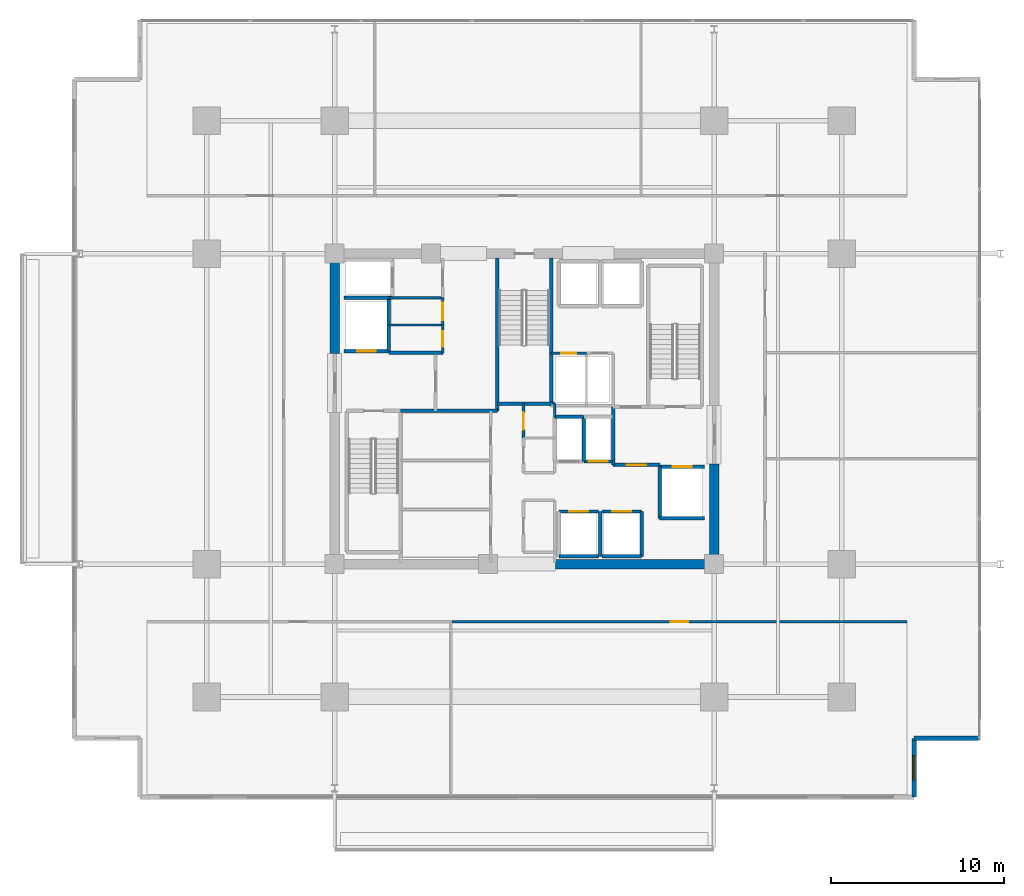
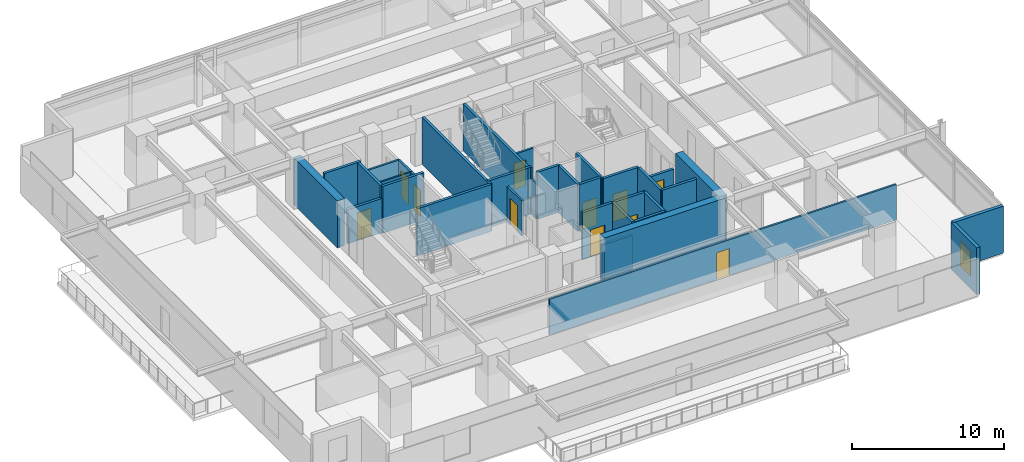
# One storey, part 15 of 23: 35 walls, 11 doors, 1 window, 12 openings.
"""IFC4 building model written with IfcOpenShell, lengths in metres."""

from ifc_helpers import new_model, si_unit, direction, frame, frame_2d, origin, place, context, subcontext, project, spatial, rectangle, extrude, material, layer, layer_set, type_object, element, fill, save


model = new_model("IFC4")

# Units and contexts
model_context = context("Model", 3, precision=1e-05, world=origin(), true_north=direction((0.0, 1.0)))
body_context = subcontext(model_context, "Body", "Model", "MODEL_VIEW")
ifc_project = project(units=[si_unit("LENGTHUNIT", "METRE"), si_unit("AREAUNIT", "SQUARE_METRE"), si_unit("VOLUMEUNIT", "CUBIC_METRE"), si_unit("PLANEANGLEUNIT", "RADIAN"), si_unit("MASSUNIT", "GRAM", prefix="KILO")], contexts=[model_context])

# Site, building, storey
site_placement = place(None, origin())
site = spatial("IfcSite", under=ifc_project, at=site_placement, CompositionType="ELEMENT")
building_placement = place(site_placement, origin())
building = spatial("IfcBuilding", under=site, at=building_placement, Name="Kovane Verandah Tower", CompositionType="ELEMENT")
storey_placement = place(building_placement, frame((0.0, 0.0, 136.39990234375)))
storey = spatial("IfcBuildingStorey", under=building, at=storey_placement, Name="L31", CompositionType="ELEMENT", Elevation=136.39990234375)

# Wall
ifc_material_1 = material(Name="Fire-Rated Gypsum Stud Partition", Category="gypsum")
ifc_layer_1 = layer(ifc_material_1, 0.14990234375)
ifc_layer_set_1 = layer_set([ifc_layer_1], Name="Fire-Rated Gypsum Stud Partition")
wall_type_1 = type_object("IfcWallType", Name="WL-COR-150", PredefinedType="PARTITIONING", material=ifc_layer_set_1)
wall_1_placement = place(storey_placement, frame((41.760009765625, 27.050048828125, 0.0), z_axis=(0.0, 0.0, 1.0), x_axis=(0.0, 1.0, 0.0)))
element("IfcWall", 1, at=wall_1_placement, inside=storey, type_object=wall_type_1, Name="L31 Central Core Strip Upper East Wall", PredefinedType="PARTITIONING", context=body_context, shape_type="SweptSolid", body=[
    extrude(rectangle(XDim=0.75, YDim=0.14990234375, at=frame_2d((0.375, 0.0))), origin(), (0.0, 0.0, 1.0), 2.85009765625),
])

# Wall, opening, door
wall_2_placement = place(storey_placement, frame((39.949951171875, 25.800048828125, 0.0), z_axis=(0.0, 0.0, 1.0), x_axis=(0.0, 1.0, 0.0)))
wall_2 = element("IfcWall", 2, at=wall_2_placement, inside=storey, type_object=wall_type_1, Name="L31 Central First Aid and Wellness Room Partition", PredefinedType="PARTITIONING", context=body_context, shape_type="SweptSolid", body=[
    extrude(rectangle(XDim=2.0, YDim=0.14990234375, at=frame_2d((1.0, 0.0))), origin(), (0.0, 0.0, 1.0), 2.85009765625),
])
opening_1_placement = place(wall_2_placement, frame((0.5, 0.0, 0.0)))
opening_1 = element("IfcOpeningElement", 3, at=opening_1_placement, cuts=wall_2, Name="Opening DR-L31-026", PredefinedType="OPENING", context=body_context, shape_type="SweptSolid", body=[
    extrude(rectangle(XDim=1.0, YDim=2.14990234375, at=frame_2d((0.5, 1.074951171875))), frame((0.0, 0.074951171875, 0.0), z_axis=(0.0, -1.0, 0.0), x_axis=(1.0, 0.0, 0.0)), (0.0, 0.0, 1.0), 0.14990234375),
])
ifc_material_2 = material(Name="FSC Spotted-Gum Timber Fire-Rated Office Door", Category="wood")
door_type_1 = type_object("IfcDoorType", Name="DR-OFF-1000", OperationType="SINGLE_SWING_LEFT", PredefinedType="DOOR", material=ifc_material_2)
door_1_placement = place(opening_1_placement, origin())
door_1 = element("IfcDoor", 4, at=door_1_placement, inside=storey, type_object=door_type_1, Name="L31 Central First Aid and Wellness Room Door", OperationType="SINGLE_SWING_LEFT", OverallHeight=2.14990234375, OverallWidth=1.0, PredefinedType="DOOR", context=body_context, shape_type="SweptSolid", body=[
    extrude(rectangle(XDim=1.0, YDim=2.14990234375, at=frame_2d((0.5, 1.074951171875))), frame((0.0, 0.02490234375, 0.0), z_axis=(0.0, -1.0, 0.0), x_axis=(1.0, 0.0, 0.0)), (0.0, 0.0, 1.0), 0.050048828125),
])
fill(opening_1, door_1)

# Wall
wall_3_placement = place(storey_placement, frame((32.14990234375, 33.949951171875, 0.0), z_axis=(0.0, 0.0, 1.0), x_axis=(1.0, 0.0, 0.0)))
element("IfcWall", 5, at=wall_3_placement, inside=storey, type_object=wall_type_1, Name="L31 Goods Lift Lobby South Wall", PredefinedType="PARTITIONING", context=body_context, shape_type="SweptSolid", body=[
    extrude(rectangle(XDim=3.130126953125, YDim=0.14990234375, at=frame_2d((1.56494140625, 0.0))), origin(), (0.0, 0.0, 1.0), 2.85009765625),
])

# Wall, opening, door
wall_4_placement = place(storey_placement, frame((35.280029296875, 30.75, 0.0), z_axis=(0.0, 0.0, 1.0), x_axis=(0.0, 1.0, 0.0)))
wall_4 = element("IfcWall", 6, at=wall_4_placement, inside=storey, type_object=wall_type_1, Name="L31 Accessible Unisex Toilet Partition", PredefinedType="PARTITIONING", context=body_context, shape_type="SweptSolid", body=[
    extrude(rectangle(XDim=1.60009765625, YDim=0.14990234375, at=frame_2d((0.800048828125, 0.0))), origin(), (0.0, 0.0, 1.0), 2.85009765625),
])
opening_2_placement = place(wall_4_placement, frame((0.35009765625, 0.0, 0.0)))
opening_2 = element("IfcOpeningElement", 7, at=opening_2_placement, cuts=wall_4, Name="Opening DR-L31-027", PredefinedType="OPENING", context=body_context, shape_type="SweptSolid", body=[
    extrude(rectangle(XDim=0.89990234375, YDim=2.10009765625, at=frame_2d((0.449951171875, 1.050048828125))), frame((0.0, 0.074951171875, 0.0), z_axis=(0.0, -1.0, 0.0), x_axis=(1.0, 0.0, 0.0)), (0.0, 0.0, 1.0), 0.14990234375),
])
ifc_material_3 = material(Name="Moisture-Resistant Laminate Washroom Door", Category="wood")
door_type_2 = type_object("IfcDoorType", Name="DR-WC-900", OperationType="SINGLE_SWING_LEFT", PredefinedType="DOOR", material=ifc_material_3)
door_2_placement = place(opening_2_placement, origin())
door_2 = element("IfcDoor", 8, at=door_2_placement, inside=storey, type_object=door_type_2, Name="L31 Accessible Unisex Toilet Door", OperationType="SINGLE_SWING_LEFT", OverallHeight=2.10009765625, OverallWidth=0.89990234375, PredefinedType="DOOR", context=body_context, shape_type="SweptSolid", body=[
    extrude(rectangle(XDim=0.89990234375, YDim=2.10009765625, at=frame_2d((0.449951171875, 1.050048828125))), frame((0.0, 0.02490234375, 0.0), z_axis=(0.0, -1.0, 0.0), x_axis=(1.0, 0.0, 0.0)), (0.0, 0.0, 1.0), 0.050048828125),
])
fill(opening_2, door_2)

wall_5_placement = place(storey_placement, frame((35.280029296875, 32.35009765625, 0.0), z_axis=(0.0, 0.0, 1.0), x_axis=(0.0, 1.0, 0.0)))
wall_5 = element("IfcWall", 9, at=wall_5_placement, inside=storey, type_object=wall_type_1, Name="L31 North-West First Aid Room Partition", PredefinedType="PARTITIONING", context=body_context, shape_type="SweptSolid", body=[
    extrude(rectangle(XDim=1.599853515625, YDim=0.14990234375, at=frame_2d((0.7998046875, 0.0))), origin(), (0.0, 0.0, 1.0), 2.85009765625),
])
opening_3_placement = place(wall_5_placement, frame((0.300048828125, 0.0, 0.0)))
opening_3 = element("IfcOpeningElement", 10, at=opening_3_placement, cuts=wall_5, Name="Opening DR-L31-012", PredefinedType="OPENING", context=body_context, shape_type="SweptSolid", body=[
    extrude(rectangle(XDim=1.0, YDim=2.14990234375, at=frame_2d((0.5, 1.074951171875))), frame((0.0, 0.074951171875, 0.0), z_axis=(0.0, -1.0, 0.0), x_axis=(1.0, 0.0, 0.0)), (0.0, 0.0, 1.0), 0.14990234375),
])
door_3_placement = place(opening_3_placement, origin())
door_3 = element("IfcDoor", 11, at=door_3_placement, inside=storey, type_object=door_type_1, Name="L31 North-West First Aid Room Door", OperationType="SINGLE_SWING_RIGHT", OverallHeight=2.14990234375, OverallWidth=1.0, PredefinedType="DOOR", context=body_context, shape_type="SweptSolid", body=[
    extrude(rectangle(XDim=1.0, YDim=2.14990234375, at=frame_2d((0.5, 1.074951171875))), frame((0.0, 0.02490234375, 0.0), z_axis=(0.0, -1.0, 0.0), x_axis=(1.0, 0.0, 0.0)), (0.0, 0.0, 1.0), 0.050048828125),
])
fill(opening_3, door_3)

wall_6_placement = place(storey_placement, frame((41.56005859375, 30.719970703125, 0.0), z_axis=(0.0, 0.0, 1.0), x_axis=(1.0, 0.0, 0.0)))
wall_6 = element("IfcWall", 12, at=wall_6_placement, inside=storey, type_object=wall_type_1, Name="L31 Electrical Sub-Main Riser Room Partition", PredefinedType="PARTITIONING", context=body_context, shape_type="SweptSolid", body=[
    extrude(rectangle(XDim=2.0400390625, YDim=0.14990234375, at=frame_2d((1.02001953125, 0.0))), origin(), (0.0, 0.0, 1.0), 2.85009765625),
])
opening_4_placement = place(wall_6_placement, frame((0.580078125, 0.0, 0.0)))
opening_4 = element("IfcOpeningElement", 13, at=opening_4_placement, cuts=wall_6, Name="Opening DR-L31-019", PredefinedType="OPENING", context=body_context, shape_type="SweptSolid", body=[
    extrude(rectangle(XDim=0.8798828125, YDim=2.10009765625, at=frame_2d((0.43994140625, 1.050048828125))), frame((0.0, 0.074951171875, 0.0), z_axis=(0.0, -1.0, 0.0), x_axis=(1.0, 0.0, 0.0)), (0.0, 0.0, 1.0), 0.14990234375),
])
ifc_material_4 = material(Name="Fire-Rated Steel Riser Access Door", Category="steel")
door_type_3 = type_object("IfcDoorType", Name="DR-RISER-880", OperationType="SINGLE_SWING_LEFT", PredefinedType="DOOR", material=ifc_material_4)
door_4_placement = place(opening_4_placement, origin())
door_4 = element("IfcDoor", 14, at=door_4_placement, inside=storey, type_object=door_type_3, Name="L31 Electrical Sub-Main Riser Room Door", OperationType="SINGLE_SWING_RIGHT", OverallHeight=2.10009765625, OverallWidth=0.8798828125, PredefinedType="DOOR", context=body_context, shape_type="SweptSolid", body=[
    extrude(rectangle(XDim=0.8798828125, YDim=2.10009765625, at=frame_2d((0.43994140625, 1.050048828125))), frame((0.0, 0.02490234375, 0.0), z_axis=(0.0, -1.0, 0.0), x_axis=(1.0, 0.0, 0.0)), (0.0, 0.0, 1.0), 0.050048828125),
])
fill(opening_4, door_4)

wall_7_placement = place(storey_placement, frame((35.81396484375, 15.14990234375, 0.0), z_axis=(0.0, 0.0, 1.0), x_axis=(1.0, 0.0, 0.0)))
wall_7 = element("IfcWall", 15, at=wall_7_placement, inside=storey, type_object=wall_type_1, Name="L31 Collaboration Hub S2 Corridor Partition", PredefinedType="PARTITIONING", context=body_context, shape_type="SweptSolid", body=[
    extrude(rectangle(XDim=26.375732421875, YDim=0.14990234375, at=frame_2d((13.18798828125, 0.0))), origin(), (0.0, 0.0, 1.0), 2.85009765625),
])
opening_5_placement = place(wall_7_placement, frame((12.68798828125, 0.0, 0.0)))
opening_5 = element("IfcOpeningElement", 16, at=opening_5_placement, cuts=wall_7, Name="Opening DR-L31-025", PredefinedType="OPENING", context=body_context, shape_type="SweptSolid", body=[
    extrude(rectangle(XDim=1.0, YDim=2.14990234375, at=frame_2d((0.5, 1.074951171875))), frame((0.0, 0.074951171875, 0.0), z_axis=(0.0, -1.0, 0.0), x_axis=(1.0, 0.0, 0.0)), (0.0, 0.0, 1.0), 0.14990234375),
])
door_5_placement = place(opening_5_placement, origin())
door_5 = element("IfcDoor", 17, at=door_5_placement, inside=storey, type_object=door_type_1, Name="L31 Collaboration Hub S2 Entrance Door", OperationType="SINGLE_SWING_RIGHT", OverallHeight=2.14990234375, OverallWidth=1.0, PredefinedType="DOOR", context=body_context, shape_type="SweptSolid", body=[
    extrude(rectangle(XDim=1.0, YDim=2.14990234375, at=frame_2d((0.5, 1.074951171875))), frame((0.0, 0.02490234375, 0.0), z_axis=(0.0, -1.0, 0.0), x_axis=(1.0, 0.0, 0.0)), (0.0, 0.0, 1.0), 0.050048828125),
])
fill(opening_5, door_5)

# Walls
ifc_material_5 = material(Name="Concrete C60/75", Category="concrete")
ifc_layer_2 = layer(ifc_material_5, 0.550048828125)
ifc_layer_set_2 = layer_set([ifc_layer_2], Name="Concrete C60/75")
wall_type_2 = type_object("IfcWallType", Name="WL-CORE-550", PredefinedType="SHEAR", material=ifc_layer_set_2)
wall_8_placement = place(storey_placement, frame((41.800048828125, 18.5, 0.0), z_axis=(0.0, 0.0, 1.0), x_axis=(1.0, 0.0, 0.0)))
element("IfcWall", 18, at=wall_8_placement, inside=storey, type_object=wall_type_2, Name="L31 Core Shear Wall CS-2", PredefinedType="SHEAR", context=body_context, shape_type="SweptSolid", body=[
    extrude(rectangle(XDim=9.199951171875, YDim=0.550048828125, at=frame_2d((4.60009765625, 0.0))), origin(), (0.0, 0.0, 1.0), 3.775146484375),
])
for number, where, z_axis, x_axis, name in (
    (19, (29.0, 30.699951171875, 0.0), (0.0, 0.0, 1.0), (0.0, 1.0, 0.0), "L31 Core Shear Wall CW-2"),
    (20, (51.0, 18.5, 0.0), (0.0, 0.0, 1.0), (0.0, 1.0, 0.0), "L31 Core Shear Wall CE-1"),
):
    element("IfcWall", number, at=place(storey_placement, frame(where, z_axis=z_axis, x_axis=x_axis)), inside=storey, type_object=wall_type_2, Name=name, PredefinedType="SHEAR", context=body_context, shape_type="SweptSolid", body=[
        extrude(rectangle(XDim=5.800048828125, YDim=0.550048828125, at=frame_2d((2.89990234375, 0.0))), origin(), (0.0, 0.0, 1.0), 3.775146484375),
    ])
ifc_material_6 = material(Name="Concrete C45/55 Fire Wall", Category="concrete")
ifc_layer_3 = layer(ifc_material_6, 0.199951171875)
ifc_layer_set_3 = layer_set([ifc_layer_3], Name="Concrete C45/55 Fire Wall")
wall_type_3 = type_object("IfcWallType", Name="WL-FFL-200", PredefinedType="PARTITIONING", material=ifc_layer_set_3)
wall_9_placement = place(storey_placement, frame((32.820068359375, 27.3798828125, 0.0), z_axis=(0.0, 0.0, 1.0), x_axis=(1.0, 0.0, 0.0)))
element("IfcWall", 21, at=wall_9_placement, inside=storey, type_object=wall_type_3, Name="L31 West Firefighting Lobby South Fire Wall", PredefinedType="PARTITIONING", context=body_context, shape_type="SweptSolid", body=[
    extrude(rectangle(XDim=5.619873046875, YDim=0.199951171875, at=frame_2d((2.81005859375, 0.0))), origin(), (0.0, 0.0, 1.0), 3.775146484375),
])
wall_10_placement = place(storey_placement, frame((32.14990234375, 30.75, 0.0), z_axis=(0.0, 0.0, 1.0), x_axis=(1.0, 0.0, 0.0)))
element("IfcWall", 22, at=wall_10_placement, inside=storey, type_object=wall_type_3, Name="L31 West Firefighting Lobby North Fire Wall", PredefinedType="PARTITIONING", context=body_context, shape_type="SweptSolid", body=[
    extrude(rectangle(XDim=3.130126953125, YDim=0.199951171875, at=frame_2d((1.56494140625, 0.0))), origin(), (0.0, 0.0, 1.0), 3.775146484375),
])
wall_11_placement = place(storey_placement, frame((45.14990234375, 24.25, 0.0), z_axis=(0.0, 0.0, 1.0), x_axis=(0.0, 1.0, 0.0)))
element("IfcWall", 23, at=wall_11_placement, inside=storey, type_object=wall_type_3, Name="L31 East Firefighting Lobby West Fire Wall", PredefinedType="PARTITIONING", context=body_context, shape_type="SweptSolid", body=[
    extrude(rectangle(XDim=3.3701171875, YDim=0.199951171875, at=frame_2d((1.68505859375, 0.0))), origin(), (0.0, 0.0, 1.0), 3.775146484375),
])

# Wall, opening, door
wall_12_placement = place(storey_placement, frame((45.14990234375, 24.25, 0.0), z_axis=(0.0, 0.0, 1.0), x_axis=(1.0, 0.0, 0.0)))
wall_12 = element("IfcWall", 24, at=wall_12_placement, inside=storey, type_object=wall_type_3, Name="W-L31-FFLE-S", PredefinedType="PARTITIONING", context=body_context, shape_type="SweptSolid", body=[
    extrude(rectangle(XDim=2.7001953125, YDim=0.199951171875, at=frame_2d((1.35009765625, 0.0))), origin(), (0.0, 0.0, 1.0), 3.775146484375),
])
opening_6_placement = place(wall_12_placement, frame((0.77490234375, 0.0, 0.0)))
opening_6 = element("IfcOpeningElement", 25, at=opening_6_placement, cuts=wall_12, Name="Opening DR-L31-003", PredefinedType="OPENING", context=body_context, shape_type="SweptSolid", body=[
    extrude(rectangle(XDim=1.14990234375, YDim=2.199951171875, at=frame_2d((0.574951171875, 1.10009765625))), frame((0.0, 0.10009765625, 0.0), z_axis=(0.0, -1.0, 0.0), x_axis=(1.0, 0.0, 0.0)), (0.0, 0.0, 1.0), 0.199951171875),
])
ifc_material_7 = material(Name="Smoke-Sealed Firefighting Lobby Door", Category="steel")
door_type_4 = type_object("IfcDoorType", Name="DR-FFL-1150", OperationType="SINGLE_SWING_LEFT", PredefinedType="DOOR", material=ifc_material_7)
door_6_placement = place(opening_6_placement, origin())
door_6 = element("IfcDoor", 26, at=door_6_placement, inside=storey, type_object=door_type_4, Name="L31 East Firefighting Lobby Inner Door", OperationType="SINGLE_SWING_RIGHT", OverallHeight=2.199951171875, OverallWidth=1.14990234375, PredefinedType="DOOR", context=body_context, shape_type="SweptSolid", body=[
    extrude(rectangle(XDim=1.14990234375, YDim=2.199951171875, at=frame_2d((0.574951171875, 1.10009765625))), frame((0.0, 0.02490234375, 0.0), z_axis=(0.0, -1.0, 0.0), x_axis=(1.0, 0.0, 0.0)), (0.0, 0.0, 1.0), 0.050048828125),
])
fill(opening_6, door_6)

ifc_material_8 = material(Name="Concrete C45/55 Lift Shaft Wall", Category="concrete")
ifc_layer_4 = layer(ifc_material_8, 0.199951171875)
ifc_layer_set_4 = layer_set([ifc_layer_4], Name="Concrete C45/55 Lift Shaft Wall")
wall_type_4 = type_object("IfcWallType", Name="WL-LIFT-200", PredefinedType="SOLIDWALL", material=ifc_layer_set_4)
wall_13_placement = place(storey_placement, frame((29.550048828125, 30.85009765625, 0.0), z_axis=(0.0, 0.0, 1.0), x_axis=(1.0, 0.0, 0.0)))
wall_13 = element("IfcWall", 27, at=wall_13_placement, inside=storey, type_object=wall_type_4, Name="L31 Lift FL-01 S Shaft Wall", PredefinedType="SOLIDWALL", context=body_context, shape_type="SweptSolid", body=[
    extrude(rectangle(XDim=2.599853515625, YDim=0.199951171875, at=frame_2d((1.2998046875, 0.0))), origin(), (0.0, 0.0, 1.0), 2.755126953125),
])
opening_7_placement = place(wall_13_placement, frame((0.75, 0.0, 0.0)))
opening_7 = element("IfcOpeningElement", 28, at=opening_7_placement, cuts=wall_13, Name="Opening LD-L31-001", PredefinedType="OPENING", context=body_context, shape_type="SweptSolid", body=[
    extrude(rectangle(XDim=1.10009765625, YDim=2.199951171875, at=frame_2d((0.550048828125, 1.10009765625))), frame((0.0, 0.10009765625, 0.0), z_axis=(0.0, -1.0, 0.0), x_axis=(1.0, 0.0, 0.0)), (0.0, 0.0, 1.0), 0.199951171875),
])
ifc_material_9 = material(Name="Brushed Stainless Steel Sliding Lift Landing Door", Category="steel")
door_type_5 = type_object("IfcDoorType", Name="DR-LIFT-1100", OperationType="SLIDING_TO_RIGHT", PredefinedType="DOOR", material=ifc_material_9)
door_7_placement = place(opening_7_placement, origin())
door_7 = element("IfcDoor", 29, at=door_7_placement, inside=storey, type_object=door_type_5, Name="L31 Lift FL-01 Sliding Landing Door", OperationType="SLIDING_TO_RIGHT", OverallHeight=2.199951171875, OverallWidth=1.10009765625, PredefinedType="DOOR", context=body_context, shape_type="SweptSolid", body=[
    extrude(rectangle(XDim=1.10009765625, YDim=2.199951171875, at=frame_2d((0.550048828125, 1.10009765625))), frame((0.0, 0.02490234375, 0.0), z_axis=(0.0, -1.0, 0.0), x_axis=(1.0, 0.0, 0.0)), (0.0, 0.0, 1.0), 0.050048828125),
])
fill(opening_7, door_7)

# Walls
wall_14_placement = place(storey_placement, frame((29.550048828125, 33.949951171875, 0.0), z_axis=(0.0, 0.0, 1.0), x_axis=(1.0, 0.0, 0.0)))
element("IfcWall", 30, at=wall_14_placement, inside=storey, type_object=wall_type_4, Name="L31 Lift FL-01 and GL-01 Shared Shaft Wall", PredefinedType="SOLIDWALL", context=body_context, shape_type="SweptSolid", body=[
    extrude(rectangle(XDim=2.800048828125, YDim=0.199951171875, at=frame_2d((1.39990234375, 0.0))), origin(), (0.0, 0.0, 1.0), 3.775146484375),
])
wall_15_placement = place(storey_placement, frame((32.14990234375, 30.85009765625, 0.0), z_axis=(0.0, 0.0, 1.0), x_axis=(0.0, 1.0, 0.0)))
element("IfcWall", 31, at=wall_15_placement, inside=storey, type_object=wall_type_4, Name="L31 Lift FL-01 E Shaft Wall", PredefinedType="SOLIDWALL", context=body_context, shape_type="SweptSolid", body=[
    extrude(rectangle(XDim=3.0, YDim=0.199951171875, at=frame_2d((1.5, 0.0))), origin(), (0.0, 0.0, 1.0), 3.775146484375),
])
wall_16_placement = place(storey_placement, frame((47.85009765625, 21.14990234375, 0.0), z_axis=(0.0, 0.0, 1.0), x_axis=(1.0, 0.0, 0.0)))
element("IfcWall", 32, at=wall_16_placement, inside=storey, type_object=wall_type_4, Name="L31 Lift FL-02 S Shaft Wall", PredefinedType="SOLIDWALL", context=body_context, shape_type="SweptSolid", body=[
    extrude(rectangle(XDim=2.599853515625, YDim=0.199951171875, at=frame_2d((1.2998046875, 0.0))), origin(), (0.0, 0.0, 1.0), 3.775146484375),
])

# Wall, opening, door
wall_17_placement = place(storey_placement, frame((50.449951171875, 24.14990234375, 0.0), z_axis=(0.0, 0.0, 1.0), x_axis=(-1.0, 0.0, 0.0)))
wall_17 = element("IfcWall", 33, at=wall_17_placement, inside=storey, type_object=wall_type_4, Name="L31 Lift FL-02 N Shaft Wall", PredefinedType="SOLIDWALL", context=body_context, shape_type="SweptSolid", body=[
    extrude(rectangle(XDim=2.599853515625, YDim=0.199951171875, at=frame_2d((1.2998046875, 0.0))), origin(), (0.0, 0.0, 1.0), 2.755126953125),
])
opening_8_placement = place(wall_17_placement, frame((0.75, 0.0, 0.0)))
opening_8 = element("IfcOpeningElement", 34, at=opening_8_placement, cuts=wall_17, Name="Opening LD-L31-002", PredefinedType="OPENING", context=body_context, shape_type="SweptSolid", body=[
    extrude(rectangle(XDim=1.10009765625, YDim=2.199951171875, at=frame_2d((0.550048828125, 1.10009765625))), frame((0.0, 0.10009765625, 0.0), z_axis=(0.0, -1.0, 0.0), x_axis=(1.0, 0.0, 0.0)), (0.0, 0.0, 1.0), 0.199951171875),
])
door_8_placement = place(opening_8_placement, origin())
door_8 = element("IfcDoor", 35, at=door_8_placement, inside=storey, type_object=door_type_5, Name="L31 Lift FL-02 Sliding Landing Door", OperationType="SLIDING_TO_RIGHT", OverallHeight=2.199951171875, OverallWidth=1.10009765625, PredefinedType="DOOR", context=body_context, shape_type="SweptSolid", body=[
    extrude(rectangle(XDim=1.10009765625, YDim=2.199951171875, at=frame_2d((0.550048828125, 1.10009765625))), frame((0.0, 0.02490234375, 0.0), z_axis=(0.0, -1.0, 0.0), x_axis=(1.0, 0.0, 0.0)), (0.0, 0.0, 1.0), 0.050048828125),
])
fill(opening_8, door_8)

# Walls
wall_18_placement = place(storey_placement, frame((47.85009765625, 24.14990234375, 0.0), z_axis=(0.0, 0.0, 1.0), x_axis=(0.0, -1.0, 0.0)))
element("IfcWall", 36, at=wall_18_placement, inside=storey, type_object=wall_type_4, Name="L31 Lift FL-02 W Shaft Wall", PredefinedType="SOLIDWALL", context=body_context, shape_type="SweptSolid", body=[
    extrude(rectangle(XDim=3.0, YDim=0.199951171875, at=frame_2d((1.5, 0.0))), origin(), (0.0, 0.0, 1.0), 3.775146484375),
])
wall_19_placement = place(storey_placement, frame((42.0, 18.949951171875, 0.0), z_axis=(0.0, 0.0, 1.0), x_axis=(1.0, 0.0, 0.0)))
element("IfcWall", 37, at=wall_19_placement, inside=storey, type_object=wall_type_4, Name="L31 Lift PL-M1 S Shaft Wall", PredefinedType="SOLIDWALL", context=body_context, shape_type="SweptSolid", body=[
    extrude(rectangle(XDim=2.300048828125, YDim=0.199951171875, at=frame_2d((1.14990234375, 0.0))), origin(), (0.0, 0.0, 1.0), 2.755126953125),
])

# Wall, opening, door
wall_20_placement = place(storey_placement, frame((44.300048828125, 21.550048828125, 0.0), z_axis=(0.0, 0.0, 1.0), x_axis=(-1.0, 0.0, 0.0)))
wall_20 = element("IfcWall", 38, at=wall_20_placement, inside=storey, type_object=wall_type_4, Name="L31 Lift PL-M1 N Shaft Wall", PredefinedType="SOLIDWALL", context=body_context, shape_type="SweptSolid", body=[
    extrude(rectangle(XDim=2.300048828125, YDim=0.199951171875, at=frame_2d((1.14990234375, 0.0))), origin(), (0.0, 0.0, 1.0), 3.775146484375),
])
opening_9_placement = place(wall_20_placement, frame((0.60009765625, 0.0, 0.0)))
opening_9 = element("IfcOpeningElement", 39, at=opening_9_placement, cuts=wall_20, Name="Opening LD-L31-004", PredefinedType="OPENING", context=body_context, shape_type="SweptSolid", body=[
    extrude(rectangle(XDim=1.10009765625, YDim=2.199951171875, at=frame_2d((0.550048828125, 1.10009765625))), frame((0.0, 0.10009765625, 0.0), z_axis=(0.0, -1.0, 0.0), x_axis=(1.0, 0.0, 0.0)), (0.0, 0.0, 1.0), 0.199951171875),
])
door_9_placement = place(opening_9_placement, origin())
door_9 = element("IfcDoor", 40, at=door_9_placement, inside=storey, type_object=door_type_5, Name="L31 Lift PL-M1 Sliding Landing Door", OperationType="SLIDING_TO_RIGHT", OverallHeight=2.199951171875, OverallWidth=1.10009765625, PredefinedType="DOOR", context=body_context, shape_type="SweptSolid", body=[
    extrude(rectangle(XDim=1.10009765625, YDim=2.199951171875, at=frame_2d((0.550048828125, 1.10009765625))), frame((0.0, 0.02490234375, 0.0), z_axis=(0.0, -1.0, 0.0), x_axis=(1.0, 0.0, 0.0)), (0.0, 0.0, 1.0), 0.050048828125),
])
fill(opening_9, door_9)

# Walls
wall_21_placement = place(storey_placement, frame((44.39990234375, 18.949951171875, 0.0), z_axis=(0.0, 0.0, 1.0), x_axis=(0.0, 1.0, 0.0)))
element("IfcWall", 41, at=wall_21_placement, inside=storey, type_object=wall_type_4, Name="L31 Lift PL-M1 and PL-M2 Shared Shaft Wall", PredefinedType="SOLIDWALL", context=body_context, shape_type="SweptSolid", body=[
    extrude(rectangle(XDim=2.60009765625, YDim=0.199951171875, at=frame_2d((1.300048828125, 0.0))), origin(), (0.0, 0.0, 1.0), 3.775146484375),
])
wall_22_placement = place(storey_placement, frame((44.5, 18.949951171875, 0.0), z_axis=(0.0, 0.0, 1.0), x_axis=(1.0, 0.0, 0.0)))
element("IfcWall", 42, at=wall_22_placement, inside=storey, type_object=wall_type_4, Name="L31 Lift PL-M2 S Shaft Wall", PredefinedType="SOLIDWALL", context=body_context, shape_type="SweptSolid", body=[
    extrude(rectangle(XDim=2.300048828125, YDim=0.199951171875, at=frame_2d((1.14990234375, 0.0))), origin(), (0.0, 0.0, 1.0), 3.775146484375),
])

# Wall, opening, door
wall_23_placement = place(storey_placement, frame((46.800048828125, 21.550048828125, 0.0), z_axis=(0.0, 0.0, 1.0), x_axis=(-1.0, 0.0, 0.0)))
wall_23 = element("IfcWall", 43, at=wall_23_placement, inside=storey, type_object=wall_type_4, Name="L31 Lift PL-M2 N Shaft Wall", PredefinedType="SOLIDWALL", context=body_context, shape_type="SweptSolid", body=[
    extrude(rectangle(XDim=2.300048828125, YDim=0.199951171875, at=frame_2d((1.14990234375, 0.0))), origin(), (0.0, 0.0, 1.0), 3.775146484375),
])
opening_10_placement = place(wall_23_placement, frame((0.60009765625, 0.0, 0.0)))
opening_10 = element("IfcOpeningElement", 44, at=opening_10_placement, cuts=wall_23, Name="Opening LD-L31-005", PredefinedType="OPENING", context=body_context, shape_type="SweptSolid", body=[
    extrude(rectangle(XDim=1.10009765625, YDim=2.199951171875, at=frame_2d((0.550048828125, 1.10009765625))), frame((0.0, 0.10009765625, 0.0), z_axis=(0.0, -1.0, 0.0), x_axis=(1.0, 0.0, 0.0)), (0.0, 0.0, 1.0), 0.199951171875),
])
door_10_placement = place(opening_10_placement, origin())
door_10 = element("IfcDoor", 45, at=door_10_placement, inside=storey, type_object=door_type_5, Name="L31 Lift PL-M2 Sliding Landing Door", OperationType="SLIDING_TO_RIGHT", OverallHeight=2.199951171875, OverallWidth=1.10009765625, PredefinedType="DOOR", context=body_context, shape_type="SweptSolid", body=[
    extrude(rectangle(XDim=1.10009765625, YDim=2.199951171875, at=frame_2d((0.550048828125, 1.10009765625))), frame((0.0, 0.02490234375, 0.0), z_axis=(0.0, -1.0, 0.0), x_axis=(1.0, 0.0, 0.0)), (0.0, 0.0, 1.0), 0.050048828125),
])
fill(opening_10, door_10)

# Walls
wall_24_placement = place(storey_placement, frame((46.800048828125, 18.949951171875, 0.0), z_axis=(0.0, 0.0, 1.0), x_axis=(0.0, 1.0, 0.0)))
element("IfcWall", 46, at=wall_24_placement, inside=storey, type_object=wall_type_4, Name="L31 Lift PL-M2 E Shaft Wall", PredefinedType="SOLIDWALL", context=body_context, shape_type="SweptSolid", body=[
    extrude(rectangle(XDim=2.60009765625, YDim=0.199951171875, at=frame_2d((1.300048828125, 0.0))), origin(), (0.0, 0.0, 1.0), 3.775146484375),
])
wall_25_placement = place(storey_placement, frame((43.43994140625, 27.050048828125, 0.0), z_axis=(0.0, 0.0, 1.0), x_axis=(-1.0, 0.0, 0.0)))
element("IfcWall", 47, at=wall_25_placement, inside=storey, type_object=wall_type_4, Name="L31 Lift PL-M3 N Shaft Wall", PredefinedType="SOLIDWALL", context=body_context, shape_type="SweptSolid", body=[
    extrude(rectangle(XDim=1.679931640625, YDim=0.199951171875, at=frame_2d((0.83984375, 0.0))), origin(), (0.0, 0.0, 1.0), 3.775146484375),
])
wall_26_placement = place(storey_placement, frame((43.449951171875, 24.449951171875, 0.0), z_axis=(0.0, 0.0, 1.0), x_axis=(0.0, 1.0, 0.0)))
element("IfcWall", 48, at=wall_26_placement, inside=storey, type_object=wall_type_4, Name="L31 Lift PL-M3 and PL-M4 Shared Shaft Wall", PredefinedType="SOLIDWALL", context=body_context, shape_type="SweptSolid", body=[
    extrude(rectangle(XDim=2.60009765625, YDim=0.199951171875, at=frame_2d((1.300048828125, 0.0))), origin(), (0.0, 0.0, 1.0), 3.775146484375),
])

# Wall, opening, door
wall_27_placement = place(storey_placement, frame((43.4599609375, 24.449951171875, 0.0), z_axis=(0.0, 0.0, 1.0), x_axis=(1.0, 0.0, 0.0)))
wall_27 = element("IfcWall", 49, at=wall_27_placement, inside=storey, type_object=wall_type_4, Name="L31 Lift PL-M4 S Shaft Wall", PredefinedType="SOLIDWALL", context=body_context, shape_type="SweptSolid", body=[
    extrude(rectangle(XDim=1.66015625, YDim=0.199951171875, at=frame_2d((0.830078125, 0.0))), origin(), (0.0, 0.0, 1.0), 3.775146484375),
])
opening_11_placement = place(wall_27_placement, frame((0.280029296875, 0.0, 0.0)))
opening_11 = element("IfcOpeningElement", 50, at=opening_11_placement, cuts=wall_27, Name="Opening LD-L31-007", PredefinedType="OPENING", context=body_context, shape_type="SweptSolid", body=[
    extrude(rectangle(XDim=1.10009765625, YDim=2.199951171875, at=frame_2d((0.550048828125, 1.10009765625))), frame((0.0, 0.10009765625, 0.0), z_axis=(0.0, -1.0, 0.0), x_axis=(1.0, 0.0, 0.0)), (0.0, 0.0, 1.0), 0.199951171875),
])
door_11_placement = place(opening_11_placement, origin())
door_11 = element("IfcDoor", 51, at=door_11_placement, inside=storey, type_object=door_type_5, Name="L31 Lift PL-M4 Sliding Landing Door", OperationType="SLIDING_TO_RIGHT", OverallHeight=2.199951171875, OverallWidth=1.10009765625, PredefinedType="DOOR", context=body_context, shape_type="SweptSolid", body=[
    extrude(rectangle(XDim=1.10009765625, YDim=2.199951171875, at=frame_2d((0.550048828125, 1.10009765625))), frame((0.0, 0.02490234375, 0.0), z_axis=(0.0, -1.0, 0.0), x_axis=(1.0, 0.0, 0.0)), (0.0, 0.0, 1.0), 0.050048828125),
])
fill(opening_11, door_11)

# Walls
ifc_material_10 = material(Name="Acoustic Fire-Rated Gypsum Partition", Category="gypsum")
ifc_layer_5 = layer(ifc_material_10, 0.1201171875)
ifc_layer_set_5 = layer_set([ifc_layer_5], Name="Acoustic Fire-Rated Gypsum Partition")
wall_type_5 = type_object("IfcWallType", Name="WL-PART-120", PredefinedType="PARTITIONING", material=ifc_layer_set_5)
wall_28_placement = place(storey_placement, frame((32.14990234375, 32.35009765625, 0.0), z_axis=(0.0, 0.0, 1.0), x_axis=(1.0, 0.0, 0.0)))
element("IfcWall", 52, at=wall_28_placement, inside=storey, type_object=wall_type_5, Name="L31 Accessible Washroom and Support Dividing Partition", PredefinedType="PARTITIONING", context=body_context, shape_type="SweptSolid", body=[
    extrude(rectangle(XDim=3.130126953125, YDim=0.1201171875, at=frame_2d((1.56494140625, 0.0))), origin(), (0.0, 0.0, 1.0), 2.85009765625),
])
ifc_material_11 = material(Name="Concrete C45/55", Category="concrete")
ifc_layer_6 = layer(ifc_material_11, 0.199951171875)
ifc_layer_set_6 = layer_set([ifc_layer_6], Name="Concrete C45/55")
wall_type_6 = type_object("IfcWallType", Name="WL-SHAFT-200", PredefinedType="SOLIDWALL", material=ifc_layer_set_6)
wall_29_placement = place(storey_placement, frame((38.43994140625, 27.3798828125, 0.0), z_axis=(0.0, 0.0, 1.0), x_axis=(0.0, 1.0, 0.0)))
element("IfcWall", 53, at=wall_29_placement, inside=storey, type_object=wall_type_6, Name="W-L31-ST03-W", PredefinedType="SOLIDWALL", context=body_context, shape_type="SweptSolid", body=[
    extrude(rectangle(XDim=8.8701171875, YDim=0.199951171875, at=frame_2d((4.43505859375, 0.0))), origin(), (0.0, 0.0, 1.0), 3.775146484375),
])
wall_30_placement = place(storey_placement, frame((41.56005859375, 27.679931640625, 0.0), z_axis=(0.0, 0.0, 1.0), x_axis=(0.0, 1.0, 0.0)))
element("IfcWall", 54, at=wall_30_placement, inside=storey, type_object=wall_type_6, Name="W-L31-ST03-E", PredefinedType="SOLIDWALL", context=body_context, shape_type="SweptSolid", body=[
    extrude(rectangle(XDim=8.570068359375, YDim=0.199951171875, at=frame_2d((4.28515625, 0.0))), origin(), (0.0, 0.0, 1.0), 3.775146484375),
])
wall_31_placement = place(storey_placement, frame((38.43994140625, 27.800048828125, 0.0), z_axis=(0.0, 0.0, 1.0), x_axis=(1.0, 0.0, 0.0)))
element("IfcWall", 55, at=wall_31_placement, inside=storey, type_object=wall_type_6, Name="W-L31-ST03-S", PredefinedType="SOLIDWALL", context=body_context, shape_type="SweptSolid", body=[
    extrude(rectangle(XDim=3.320068359375, YDim=0.199951171875, at=frame_2d((1.66015625, 0.0))), origin(), (0.0, 0.0, 1.0), 3.775146484375),
])

# Wall, opening, window
ifc_material_12 = material(Name="Concrete C45/55 Insulated Spandrel Wall", Category="concrete")
ifc_layer_7 = layer(ifc_material_12, 0.260009765625)
ifc_layer_set_7 = layer_set([ifc_layer_7], Name="Concrete C45/55 Insulated Spandrel Wall")
wall_type_7 = type_object("IfcWallType", Name="WL-SPANDREL-260", PredefinedType="PARAPET", material=ifc_layer_set_7)
wall_32_placement = place(storey_placement, frame((62.589599609375, 4.99951171875, 0.0), z_axis=(0.0, 0.0, 1.0), x_axis=(0.0, 1.0, 0.0)))
wall_32 = element("IfcWall", 56, at=wall_32_placement, inside=storey, type_object=wall_type_7, Name="L31 SE Notch Cheek Wall 1", PredefinedType="PARAPET", context=body_context, shape_type="SweptSolid", body=[
    extrude(rectangle(XDim=3.39990234375, YDim=0.260009765625, at=frame_2d((1.699951171875, 0.0))), origin(), (0.0, 0.0, 1.0), 3.775146484375),
])
opening_12_placement = place(wall_32_placement, frame((1.0, 0.0, 0.85009765625)))
opening_12 = element("IfcOpeningElement", 57, at=opening_12_placement, cuts=wall_32, Name="Opening W-01", PredefinedType="OPENING", context=body_context, shape_type="SweptSolid", body=[
    extrude(rectangle(XDim=1.39990234375, YDim=2.0, at=frame_2d((0.699951171875, 1.0))), frame((0.0, 0.1298828125, 0.0), z_axis=(0.0, -1.0, 0.0), x_axis=(1.0, 0.0, 0.0)), (0.0, 0.0, 1.0), 0.260009765625),
])
ifc_material_13 = material(Name="Clear Low-E Laminated Double Glazing in Anodised Frame", Category="glass")
window_type = type_object("IfcWindowType", Name="WN-OPER-1400x2000", PartitioningType="SINGLE_PANEL", PredefinedType="WINDOW", material=ifc_material_13)
window_placement = place(opening_12_placement, origin())
window = element("IfcWindow", 58, at=window_placement, inside=storey, type_object=window_type, Name="L31 SE Re-Entrant Corner Operable Window", OverallHeight=2.0, OverallWidth=1.39990234375, PartitioningType="SINGLE_PANEL", PredefinedType="WINDOW", context=body_context, shape_type="SweptSolid", body=[
    extrude(rectangle(XDim=1.39990234375, YDim=2.0, at=frame_2d((0.699951171875, 1.0))), frame((0.0, 0.030029296875, 0.0), z_axis=(0.0, -1.0, 0.0), x_axis=(1.0, 0.0, 0.0)), (0.0, 0.0, 1.0), 0.06005859375),
])
fill(opening_12, window)

# Wall
wall_33_placement = place(storey_placement, frame((62.589599609375, 8.3994140625, 0.0), z_axis=(0.0, 0.0, 1.0), x_axis=(1.0, 0.0, 0.0)))
element("IfcWall", 59, at=wall_33_placement, inside=storey, type_object=wall_type_7, Name="L31 SE Notch Cheek Wall 2", PredefinedType="PARAPET", context=body_context, shape_type="SweptSolid", body=[
    extrude(rectangle(XDim=3.800048828125, YDim=0.260009765625, at=frame_2d((1.89990234375, 0.0))), origin(), (0.0, 0.0, 1.0), 3.775146484375),
])

save(model, "model.ifc")
